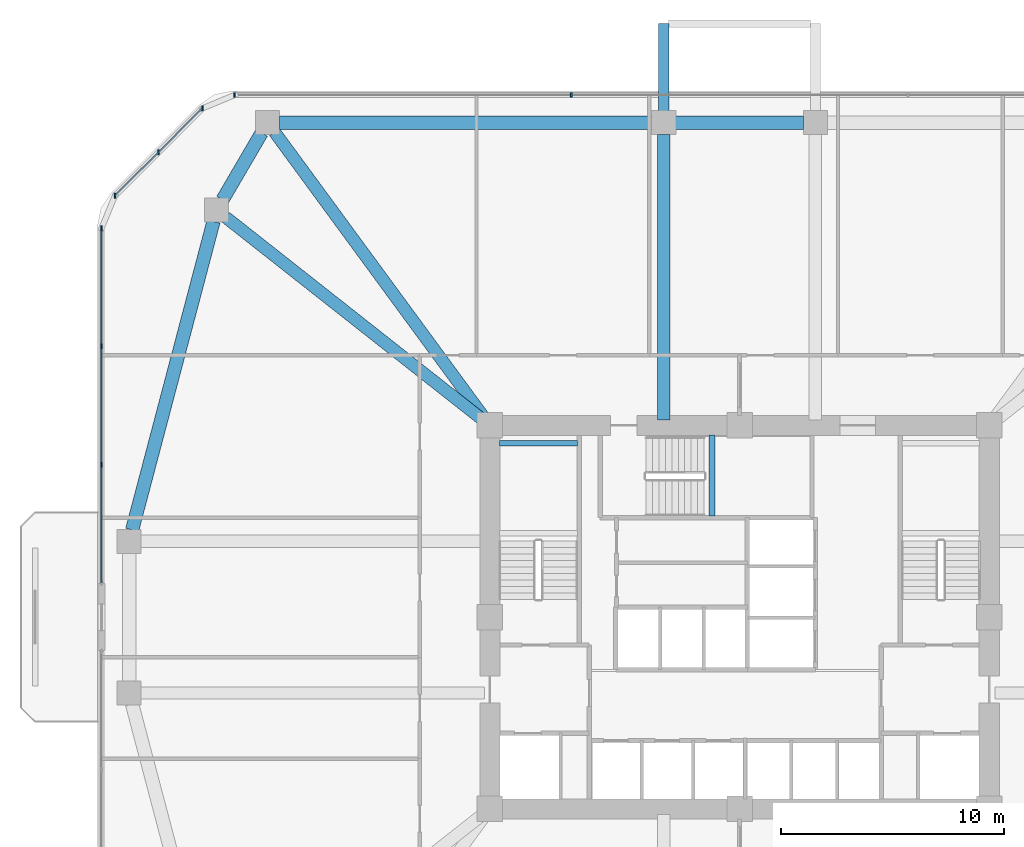
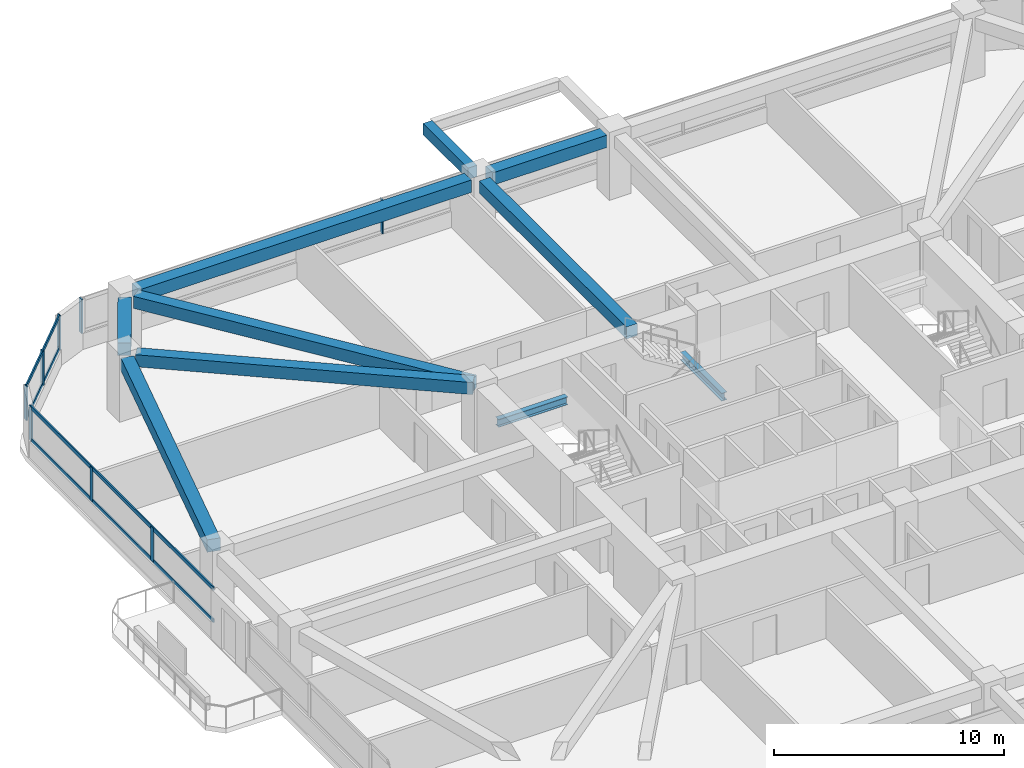
# One storey, part 5 of 13: 12 members, 10 beams, 3 elements without a shape of their own.
"""IFC4 building model written with IfcOpenShell, lengths in metres."""

from ifc_helpers import new_model, si_unit, derived_unit, direction, frame, origin, origin_2d, place, context, subcontext, project, spatial, rectangle, i_section, extrude, material, material_profile, profile_set, type_object, element, aggregate, save


model = new_model("IFC4")

# Units and contexts
model_context = context("Model", 3, precision=1e-05, world=origin(), true_north=direction((0.0, 1.0)))
body_context = subcontext(model_context, "Body", "Model", "MODEL_VIEW")
ifc_project = project(units=[si_unit("LENGTHUNIT", "METRE"), si_unit("AREAUNIT", "SQUARE_METRE"), si_unit("VOLUMEUNIT", "CUBIC_METRE"), si_unit("PLANEANGLEUNIT", "RADIAN"), si_unit("MASSUNIT", "GRAM", prefix="KILO"), derived_unit("THERMALTRANSMITTANCEUNIT", [(si_unit("POWERUNIT", "WATT"), 1), (si_unit("LENGTHUNIT", "METRE"), -2), (si_unit("THERMODYNAMICTEMPERATUREUNIT", "KELVIN"), -1)])], contexts=[model_context])

# Site, building, storey
site_placement = place(None, origin())
site = spatial("IfcSite", under=ifc_project, at=site_placement, CompositionType="ELEMENT")
building_placement = place(site_placement, origin())
building = spatial("IfcBuilding", under=site, at=building_placement, Name="Koralith Skygarden Medical Center", CompositionType="ELEMENT")
storey_placement = place(building_placement, frame((0.0, 0.0, 63.5400390625)))
storey = spatial("IfcBuildingStorey", under=building, at=storey_placement, Name="L16", CompositionType="ELEMENT", Elevation=63.5400390625)

# Curtain wall, members
ifc_material_1 = material(Name="Clear Laminated Glass", Category="glass")
curtain_wall_type = type_object("IfcCurtainWallType", Name="CW-2 Zone 1 Hurricane Unitised Curtain Wall", PredefinedType="NOTDEFINED", material=ifc_material_1)
curtain_wall_1_placement = place(storey_placement, origin())
curtain_wall_1 = element("IfcCurtainWall", 1, at=curtain_wall_1_placement, inside=storey, type_object=curtain_wall_type, Name="Curtain Wall CW-L16-N", PredefinedType="NOTDEFINED")
ifc_material_2 = material(Name="Aluminium 6063-T6", Category="aluminium")
ifc_material_profile_1 = material_profile(ifc_material_2, rectangle(XDim=0.071044921875, YDim=0.219970703125, at=origin_2d()), Name="MUL71X220")
ifc_profile_set_1 = profile_set([ifc_material_profile_1], Name="Aluminium 6063-T6")
member_type_1 = type_object("IfcMemberType", Name="CW-2 Extruded Mullion 71x220", PredefinedType="MULLION", material=ifc_profile_set_1)
member_1_placement = place(storey_placement, frame((29.451904296875, 49.320068359375, 0.849853515625), z_axis=(0.0, 0.0, 1.0), x_axis=(1.0, 0.0, 0.0)))
member_1 = element("IfcMember", 2, at=member_1_placement, type_object=member_type_1, Name="CW-L16-N Mullion 3", PredefinedType="MULLION", context=body_context, shape_type="SweptSolid", body=[
    extrude(rectangle(XDim=0.071044921875, YDim=0.219970703125, at=origin_2d()), origin(), (0.0, 0.0, 1.0), 1.800048828125),
])
member_2_placement = place(storey_placement, frame((14.35498046875, 49.320068359375, 0.849853515625), z_axis=(0.0, 0.0, 1.0), x_axis=(1.0, 0.0, 0.0)))
member_2 = element("IfcMember", 3, at=member_2_placement, type_object=member_type_1, Name="CW-L16-N Mullion 4", PredefinedType="MULLION", context=body_context, shape_type="SweptSolid", body=[
    extrude(rectangle(XDim=0.071044921875, YDim=0.219970703125, at=origin_2d()), origin(), (0.0, 0.0, 1.0), 1.800048828125),
])
aggregate(curtain_wall_1, [member_1, member_2])

curtain_wall_2_placement = place(storey_placement, origin())
curtain_wall_2 = element("IfcCurtainWall", 4, at=curtain_wall_2_placement, inside=storey, type_object=curtain_wall_type, Name="Curtain Wall CW-L16-NW", PredefinedType="NOTDEFINED")
member_3_placement = place(storey_placement, frame((12.904052734375, 48.718994140625, 0.849853515625), z_axis=(0.0, 0.0, 1.0), x_axis=(1.0, 0.0, 0.0)))
member_3 = element("IfcMember", 5, at=member_3_placement, type_object=member_type_1, Name="CW-L16-NW Mullion 1", PredefinedType="MULLION", context=body_context, shape_type="SweptSolid", body=[
    extrude(rectangle(XDim=0.071044921875, YDim=0.219970703125, at=origin_2d()), origin(), (0.0, 0.0, 1.0), 1.800048828125),
])
member_4_placement = place(storey_placement, frame((10.94189453125, 46.758056640625, 0.849853515625), z_axis=(0.0, 0.0, 1.0), x_axis=(1.0, 0.0, 0.0)))
member_4 = element("IfcMember", 6, at=member_4_placement, type_object=member_type_1, Name="CW-L16-NW Mullion 2", PredefinedType="MULLION", context=body_context, shape_type="SweptSolid", body=[
    extrude(rectangle(XDim=0.071044921875, YDim=0.219970703125, at=origin_2d()), origin(), (0.0, 0.0, 1.0), 1.800048828125),
])
member_5_placement = place(storey_placement, frame((8.98095703125, 44.7958984375, 0.849853515625), z_axis=(0.0, 0.0, 1.0), x_axis=(1.0, 0.0, 0.0)))
member_5 = element("IfcMember", 7, at=member_5_placement, type_object=member_type_1, Name="CW-L16-NW Mullion 3", PredefinedType="MULLION", context=body_context, shape_type="SweptSolid", body=[
    extrude(rectangle(XDim=0.071044921875, YDim=0.219970703125, at=origin_2d()), origin(), (0.0, 0.0, 1.0), 1.800048828125),
])

curtain_wall_3_placement = place(storey_placement, origin())
curtain_wall_3 = element("IfcCurtainWall", 8, at=curtain_wall_3_placement, inside=storey, type_object=curtain_wall_type, Name="Curtain Wall CW-L16-W-L", PredefinedType="NOTDEFINED")
member_6_placement = place(storey_placement, frame((8.3798828125, 43.344970703125, 0.849853515625), z_axis=(0.0, 0.0, 1.0), x_axis=(1.0, 0.0, 0.0)))
member_6 = element("IfcMember", 9, at=member_6_placement, type_object=member_type_1, Name="CW-L16-W-L Mullion 1", PredefinedType="MULLION", context=body_context, shape_type="SweptSolid", body=[
    extrude(rectangle(XDim=0.071044921875, YDim=0.219970703125, at=origin_2d()), origin(), (0.0, 0.0, 1.0), 1.800048828125),
])
member_7_placement = place(storey_placement, frame((8.3798828125, 38.04296875, 0.849853515625), z_axis=(0.0, 0.0, 1.0), x_axis=(1.0, 0.0, 0.0)))
member_7 = element("IfcMember", 10, at=member_7_placement, type_object=member_type_1, Name="CW-L16-W-L Mullion 2", PredefinedType="MULLION", context=body_context, shape_type="SweptSolid", body=[
    extrude(rectangle(XDim=0.071044921875, YDim=0.219970703125, at=origin_2d()), origin(), (0.0, 0.0, 1.0), 1.800048828125),
])
member_8_placement = place(storey_placement, frame((8.3798828125, 32.741943359375, 0.849853515625), z_axis=(0.0, 0.0, 1.0), x_axis=(1.0, 0.0, 0.0)))
member_8 = element("IfcMember", 11, at=member_8_placement, type_object=member_type_1, Name="CW-L16-W-L Mullion 3", PredefinedType="MULLION", context=body_context, shape_type="SweptSolid", body=[
    extrude(rectangle(XDim=0.071044921875, YDim=0.219970703125, at=origin_2d()), origin(), (0.0, 0.0, 1.0), 1.800048828125),
])

# Member
ifc_material_profile_2 = material_profile(ifc_material_2, rectangle(XDim=0.06591796875, YDim=0.197998046875, at=origin_2d()), Name="TRN66X198")
ifc_profile_set_2 = profile_set([ifc_material_profile_2], Name="Aluminium 6063-T6")
member_type_2 = type_object("IfcMemberType", Name="CW-2 Thermal Transom 66x198", PredefinedType="USERDEFINED", material=ifc_profile_set_2)
member_9_placement = place(storey_placement, frame((12.904052734375, 48.718994140625, 0.89990234375), z_axis=(-0.707106781187, -0.707106781187, 0.0), x_axis=(0.707106781187, -0.707106781187, 0.0)))
member_9 = element("IfcMember", 12, at=member_9_placement, type_object=member_type_2, Name="CW-L16-NW Transom 1", ObjectType="TRANSOM", PredefinedType="USERDEFINED", context=body_context, shape_type="SweptSolid", body=[
    extrude(rectangle(XDim=0.06591796875, YDim=0.197998046875, at=origin_2d()), origin(), (0.0, 0.0, 1.0), 5.548095703125),
])

member_10_placement = place(storey_placement, frame((12.904052734375, 48.718994140625, 2.599853515625), z_axis=(-0.707106781187, -0.707106781187, 0.0), x_axis=(0.707106781187, -0.707106781187, 0.0)))
member_10 = element("IfcMember", 13, at=member_10_placement, type_object=member_type_2, Name="CW-L16-NW Transom 2", ObjectType="TRANSOM", PredefinedType="USERDEFINED", context=body_context, shape_type="SweptSolid", body=[
    extrude(rectangle(XDim=0.06591796875, YDim=0.197998046875, at=origin_2d()), origin(), (0.0, 0.0, 1.0), 5.548095703125),
])

aggregate(curtain_wall_2, [member_3, member_4, member_5, member_9, member_10])

member_11_placement = place(storey_placement, frame((8.3798828125, 43.344970703125, 0.89990234375), z_axis=(0.0, -1.0, 0.0), x_axis=(1.0, 0.0, 0.0)))
member_11 = element("IfcMember", 14, at=member_11_placement, type_object=member_type_2, Name="CW-L16-W-L Transom 1", ObjectType="TRANSOM", PredefinedType="USERDEFINED", context=body_context, shape_type="SweptSolid", body=[
    extrude(rectangle(XDim=0.06591796875, YDim=0.197998046875, at=origin_2d()), origin(), (0.0, 0.0, 1.0), 15.905029296875),
])

member_12_placement = place(storey_placement, frame((8.3798828125, 43.344970703125, 2.599853515625), z_axis=(0.0, -1.0, 0.0), x_axis=(1.0, 0.0, 0.0)))
member_12 = element("IfcMember", 15, at=member_12_placement, type_object=member_type_2, Name="CW-L16-W-L Transom 2", ObjectType="TRANSOM", PredefinedType="USERDEFINED", context=body_context, shape_type="SweptSolid", body=[
    extrude(rectangle(XDim=0.06591796875, YDim=0.197998046875, at=origin_2d()), origin(), (0.0, 0.0, 1.0), 15.905029296875),
])

aggregate(curtain_wall_3, [member_6, member_7, member_8, member_11, member_12])

# Beams
ifc_material_3 = material(Name="Steel ASTM A992 Grade 50", Category="steel")
ifc_material_profile_3 = material_profile(ifc_material_3, i_section(OverallWidth=0.260009765625, OverallDepth=0.4150390625, WebThickness=0.010009765625, FlangeThickness=0.016845703125, at=origin_2d()), Name="W16X67")
ifc_profile_set_3 = profile_set([ifc_material_profile_3], Name="Steel ASTM A992 Grade 50")
beam_type_1 = type_object("IfcBeamType", Name="Clinical Floor Joist W16X67", PredefinedType="JOIST", material=ifc_profile_set_3)
beam_1_placement = place(storey_placement, frame((26.22998046875, 33.699951171875, 1.39306640625), z_axis=(1.0, 0.0, 0.0), x_axis=(0.0, 1.0, 0.0)))
element("IfcBeam", 16, at=beam_1_placement, inside=storey, type_object=beam_type_1, Name="L16 Stair ST1 Half-Landing Support Beam 1B", PredefinedType="JOIST", context=body_context, shape_type="SweptSolid", body=[
    extrude(i_section(OverallWidth=0.260009765625, OverallDepth=0.4150390625, WebThickness=0.010009765625, FlangeThickness=0.016845703125, at=origin_2d()), origin(), (0.0, 0.0, 1.0), 3.489990234375),
])
beam_2_placement = place(storey_placement, frame((35.760009765625, 30.43994140625, 1.39306640625), z_axis=(0.0, 1.0, 0.0), x_axis=(-1.0, 0.0, 0.0)))
element("IfcBeam", 17, at=beam_2_placement, inside=storey, type_object=beam_type_1, Name="L16 Stair ST3 Half-Landing Support Beam 1A", PredefinedType="JOIST", context=body_context, shape_type="SweptSolid", body=[
    extrude(i_section(OverallWidth=0.260009765625, OverallDepth=0.4150390625, WebThickness=0.010009765625, FlangeThickness=0.016845703125, at=origin_2d()), origin(), (0.0, 0.0, 1.0), 3.630126953125),
])
ifc_material_4 = material(Name="Concrete C45/55", Category="concrete")
ifc_material_profile_4 = material_profile(ifc_material_4, rectangle(XDim=0.449951171875, YDim=0.60009765625, at=origin_2d()), Name="RCB450X600")
ifc_profile_set_4 = profile_set([ifc_material_profile_4], Name="Concrete C45/55")
beam_type_2 = type_object("IfcBeamType", Name="Planted Balcony Cantilever Beam RCB450X600", PredefinedType="BEAM", material=ifc_profile_set_4)
beam_3_placement = place(storey_placement, frame((33.60009765625, 48.60009765625, 3.0400390625), z_axis=(0.0, 1.0, 0.0), x_axis=(-1.0, 0.0, 0.0)))
element("IfcBeam", 18, at=beam_3_placement, inside=storey, type_object=beam_type_2, Name="L17 N Balcony Cantilever Beam A", PredefinedType="BEAM", context=body_context, shape_type="SweptSolid", body=[
    extrude(rectangle(XDim=0.449951171875, YDim=0.60009765625, at=origin_2d()), origin(), (0.0, 0.0, 1.0), 3.919921875),
])
ifc_material_profile_5 = material_profile(ifc_material_4, rectangle(XDim=0.550048828125, YDim=0.639892578125, at=origin_2d()), Name="RCB550X640")
ifc_profile_set_5 = profile_set([ifc_material_profile_5], Name="Concrete C45/55")
beam_type_3 = type_object("IfcBeamType", Name="Radial Collector Beam RCB550X640", PredefinedType="BEAM", material=ifc_profile_set_5)
beam_4_placement = place(storey_placement, frame((33.60009765625, 34.75, 3.0), z_axis=(0.0, 1.0, 0.0), x_axis=(-1.0, 0.0, 0.0)))
element("IfcBeam", 19, at=beam_4_placement, inside=storey, type_object=beam_type_3, Name="L16 Radial Collector Beam RB-13", PredefinedType="BEAM", context=body_context, shape_type="SweptSolid", body=[
    extrude(rectangle(XDim=0.550048828125, YDim=0.639892578125, at=origin_2d()), origin(), (0.0, 0.0, 1.0), 12.800048828125),
])
beam_5_placement = place(storey_placement, frame((25.652099609375, 34.701904296875, 3.0), z_axis=(-0.591710803277, 0.806150311843, 0.0), x_axis=(-0.806150311843, -0.591710803277, 0.0)))
element("IfcBeam", 20, at=beam_5_placement, inside=storey, type_object=beam_type_3, Name="L16 Radial Collector Beam RB-14", PredefinedType="BEAM", context=body_context, shape_type="SweptSolid", body=[
    extrude(rectangle(XDim=0.550048828125, YDim=0.639892578125, at=origin_2d()), origin(), (0.0, 0.0, 1.0), 16.0654296875),
])
beam_6_placement = place(storey_placement, frame((25.60400390625, 34.655029296875, 3.0), z_axis=(-0.785497250365, 0.618865146594, 0.0), x_axis=(-0.618865146594, -0.785497250365, 0.0)))
element("IfcBeam", 21, at=beam_6_placement, inside=storey, type_object=beam_type_3, Name="L16 Radial Collector Beam RB-15", PredefinedType="BEAM", context=body_context, shape_type="SweptSolid", body=[
    extrude(rectangle(XDim=0.550048828125, YDim=0.639892578125, at=origin_2d()), origin(), (0.0, 0.0, 1.0), 14.828857421875),
])
ifc_material_profile_6 = material_profile(ifc_material_4, rectangle(XDim=0.60009765625, YDim=0.659912109375, at=origin_2d()), Name="RCB600X660")
ifc_profile_set_6 = profile_set([ifc_material_profile_6], Name="Concrete C45/55")
beam_type_4 = type_object("IfcBeamType", Name="Zone 1 Spandrel Beam RCB600X660", PredefinedType="SPANDREL", material=ifc_profile_set_6)
beam_7_placement = place(storey_placement, frame((39.8701171875, 48.080078125, 2.989990234375), z_axis=(-1.0, 0.0, 0.0), x_axis=(0.0, -1.0, 0.0)))
element("IfcBeam", 22, at=beam_7_placement, inside=storey, type_object=beam_type_4, Name="L16 Perimeter Spandrel Beam SP-12", PredefinedType="SPANDREL", context=body_context, shape_type="SweptSolid", body=[
    extrude(rectangle(XDim=0.60009765625, YDim=0.659912109375, at=origin_2d()), origin(), (0.0, 0.0, 1.0), 5.740234375),
])
beam_8_placement = place(storey_placement, frame((33.070068359375, 48.080078125, 2.989990234375), z_axis=(-1.0, 0.0, 0.0), x_axis=(0.0, -1.0, 0.0)))
element("IfcBeam", 23, at=beam_8_placement, inside=storey, type_object=beam_type_4, Name="L16 Perimeter Spandrel Beam SP-13", PredefinedType="SPANDREL", context=body_context, shape_type="SweptSolid", body=[
    extrude(rectangle(XDim=0.60009765625, YDim=0.659912109375, at=origin_2d()), origin(), (0.0, 0.0, 1.0), 16.7080078125),
])
beam_9_placement = place(storey_placement, frame((15.56396484375, 47.6220703125, 2.989990234375), z_axis=(-0.504608092658, -0.863348523381, 0.0), x_axis=(0.863348523381, -0.504608092658, 0.0)))
element("IfcBeam", 24, at=beam_9_placement, inside=storey, type_object=beam_type_4, Name="L16 Perimeter Spandrel Beam SP-14", PredefinedType="SPANDREL", context=body_context, shape_type="SweptSolid", body=[
    extrude(rectangle(XDim=0.60009765625, YDim=0.659912109375, at=origin_2d()), origin(), (0.0, 0.0, 1.0), 3.479736328125),
])
beam_10_placement = place(storey_placement, frame((13.405029296875, 43.64794921875, 2.989990234375), z_axis=(-0.255088684842, -0.966917660851, 0.0), x_axis=(0.966917660851, -0.255088684842, 0.0)))
element("IfcBeam", 25, at=beam_10_placement, inside=storey, type_object=beam_type_4, Name="L16 Perimeter Spandrel Beam SP-15", PredefinedType="SPANDREL", context=body_context, shape_type="SweptSolid", body=[
    extrude(rectangle(XDim=0.60009765625, YDim=0.659912109375, at=origin_2d()), origin(), (0.0, 0.0, 1.0), 14.309326171875),
])

save(model, "model.ifc")
